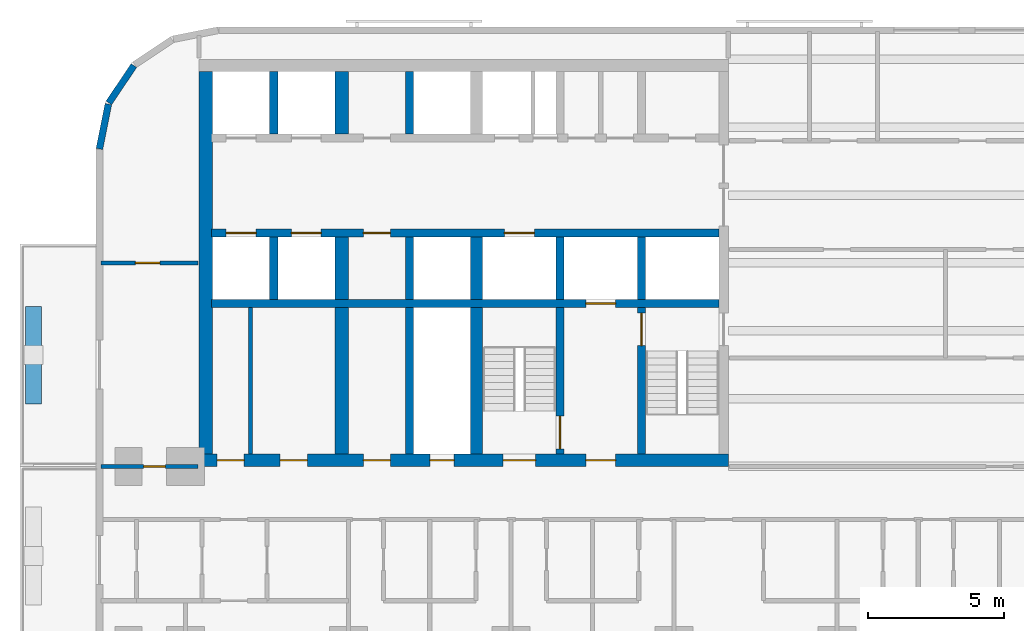
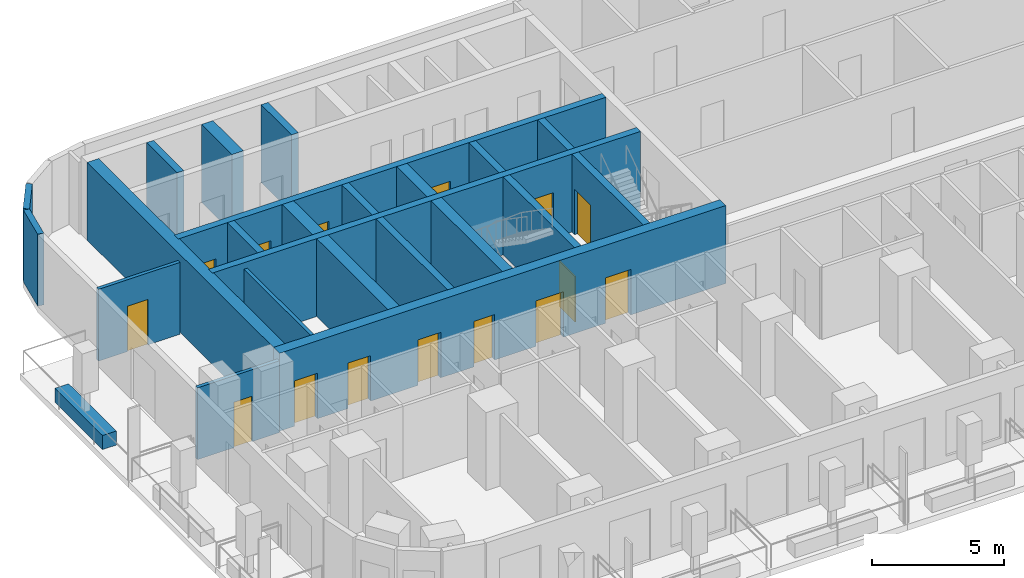
# One storey, part 3 of 15: 24 walls, 15 doors, 15 openings.
"""IFC4 building model written with IfcOpenShell, lengths in metres."""

from ifc_helpers import new_model, si_unit, direction, frame, frame_2d, origin, place, context, subcontext, project, spatial, rectangle, extrude, material, layer, layer_set, type_object, element, fill, save


model = new_model("IFC4")

# Units and contexts
model_context = context("Model", 3, precision=1e-05, world=origin(), true_north=direction((0.0, 1.0)))
body_context = subcontext(model_context, "Body", "Model", "MODEL_VIEW")
ifc_project = project(units=[si_unit("LENGTHUNIT", "METRE"), si_unit("AREAUNIT", "SQUARE_METRE"), si_unit("VOLUMEUNIT", "CUBIC_METRE"), si_unit("PLANEANGLEUNIT", "RADIAN"), si_unit("MASSUNIT", "GRAM", prefix="KILO")], contexts=[model_context])

# Site, building, storey
site_placement = place(None, origin())
site = spatial("IfcSite", under=ifc_project, at=site_placement, CompositionType="ELEMENT")
building_placement = place(site_placement, origin())
building = spatial("IfcBuilding", under=site, at=building_placement, Name="Torana Hotel and Residences", CompositionType="ELEMENT")
storey_placement = place(building_placement, frame((0.0, 0.0, 31.199951171875)))
storey = spatial("IfcBuildingStorey", under=building, at=storey_placement, Name="L06", CompositionType="ELEMENT", Elevation=31.199951171875)

# Wall, openings, doors
ifc_material_1 = material(Name="Concrete C80/95", Category="concrete")
ifc_layer_1 = layer(ifc_material_1, 0.300048828125)
ifc_layer_set_1 = layer_set([ifc_layer_1], Name="CORE WALL 300 C80/95")
wall_type_1 = type_object("IfcWallType", Name="CORE WALL 300 C80/95", PredefinedType="SHEAR", material=ifc_layer_set_1)
wall_1_placement = place(storey_placement, frame((-29.050048828125, -6.39990234375, 0.0), z_axis=(0.0, 0.0, 1.0), x_axis=(1.0, 0.0, 0.0)))
wall_1 = element("IfcWall", 1, at=wall_1_placement, inside=storey, type_object=wall_type_1, Name="Core wall W row-S", PredefinedType="SHEAR", context=body_context, shape_type="SweptSolid", body=[
    extrude(rectangle(XDim=18.699951171875, YDim=0.300048828125, at=frame_2d((9.35009765625, 0.0))), origin(), (0.0, 0.0, 1.0), 3.60009765625),
])
opening_1_placement = place(wall_1_placement, frame((2.949951171875, 0.0, 0.0)))
opening_1 = element("IfcOpeningElement", 2, at=opening_1_placement, cuts=wall_1, Name="Opening LD", PredefinedType="OPENING", context=body_context, shape_type="SweptSolid", body=[
    extrude(rectangle(XDim=1.10009765625, YDim=2.10009765625, at=frame_2d((0.550048828125, 1.050048828125))), frame((0.0, 0.159912109375, 0.0), z_axis=(0.0, -1.0, 0.0), x_axis=(1.0, 0.0, 0.0)), (0.0, 0.0, 1.0), 0.320068359375),
])
opening_2_placement = place(wall_1_placement, frame((0.550048828125, 0.0, 0.0)))
opening_2 = element("IfcOpeningElement", 3, at=opening_2_placement, cuts=wall_1, Name="Opening LD", PredefinedType="OPENING", context=body_context, shape_type="SweptSolid", body=[
    extrude(rectangle(XDim=1.10009765625, YDim=2.10009765625, at=frame_2d((0.550048828125, 1.050048828125))), frame((0.0, 0.159912109375, 0.0), z_axis=(0.0, -1.0, 0.0), x_axis=(1.0, 0.0, 0.0)), (0.0, 0.0, 1.0), 0.320068359375),
])
opening_3_placement = place(wall_1_placement, frame((10.800048828125, 0.0, 0.0)))
opening_3 = element("IfcOpeningElement", 4, at=opening_3_placement, cuts=wall_1, Name="Opening LD", PredefinedType="OPENING", context=body_context, shape_type="SweptSolid", body=[
    extrude(rectangle(XDim=1.10009765625, YDim=2.10009765625, at=frame_2d((0.550048828125, 1.050048828125))), frame((0.0, 0.159912109375, 0.0), z_axis=(0.0, -1.0, 0.0), x_axis=(1.0, 0.0, 0.0)), (0.0, 0.0, 1.0), 0.320068359375),
])
opening_4_placement = place(wall_1_placement, frame((5.60009765625, 0.0, 0.0)))
opening_4 = element("IfcOpeningElement", 5, at=opening_4_placement, cuts=wall_1, Name="Opening L06-16", PredefinedType="OPENING", context=body_context, shape_type="SweptSolid", body=[
    extrude(rectangle(XDim=1.0, YDim=2.10009765625, at=frame_2d((0.5, 1.050048828125))), frame((0.0, 0.159912109375, 0.0), z_axis=(0.0, -1.0, 0.0), x_axis=(1.0, 0.0, 0.0)), (0.0, 0.0, 1.0), 0.320068359375),
])
ifc_material_2 = material(Name="Steel S235", Category="steel")
door_type_1 = type_object("IfcDoorType", Name="CORE ROOM FIRE DOOR D14 1000x2100", OperationType="SINGLE_SWING_LEFT", PredefinedType="DOOR", material=ifc_material_2)
door_1_placement = place(opening_4_placement, frame((0.5, 0.0, 0.0), z_axis=(0.0, 0.0, 1.0), x_axis=(-1.0, 0.0, 0.0)))
door_1 = element("IfcDoor", 6, at=door_1_placement, inside=storey, type_object=door_type_1, Name="Free-M2 door L06", OperationType="SINGLE_SWING_LEFT", OverallHeight=2.10009765625, OverallWidth=1.0, PredefinedType="DOOR", context=body_context, shape_type="SweptSolid", body=[
    extrude(rectangle(XDim=1.0, YDim=2.10009765625, at=frame_2d((0.0, 1.050048828125))), frame((0.0, -0.02490234375, 0.0), z_axis=(0.0, 1.0, 0.0), x_axis=(-1.0, 0.0, 0.0)), (0.0, 0.0, 1.0), 0.050048828125),
])
fill(opening_4, door_1)
ifc_material_3 = material(Name="Stainless steel 316", Category="steel")
door_type_2 = type_object("IfcDoorType", Name="LIFT LANDING DOOR LD 1100x2100", OperationType="DOUBLE_DOOR_SLIDING", PredefinedType="USERDEFINED", material=ifc_material_3)
door_2_placement = place(opening_1_placement, origin())
door_2 = element("IfcDoor", 7, at=door_2_placement, inside=storey, type_object=door_type_2, Name="Lift landing door L3 L06", ObjectType="LIFT LANDING DOOR", OperationType="DOUBLE_DOOR_SLIDING", OverallHeight=2.10009765625, OverallWidth=1.10009765625, PredefinedType="USERDEFINED", context=body_context, shape_type="SweptSolid", body=[
    extrude(rectangle(XDim=1.10009765625, YDim=2.10009765625, at=frame_2d((0.550048828125, 1.050048828125))), frame((0.0, 0.02490234375, 0.0), z_axis=(0.0, -1.0, 0.0), x_axis=(1.0, 0.0, 0.0)), (0.0, 0.0, 1.0), 0.050048828125),
])
fill(opening_1, door_2)
door_3_placement = place(opening_2_placement, origin())
door_3 = element("IfcDoor", 8, at=door_3_placement, inside=storey, type_object=door_type_2, Name="Lift landing door L4 L06", ObjectType="LIFT LANDING DOOR", OperationType="DOUBLE_DOOR_SLIDING", OverallHeight=2.10009765625, OverallWidth=1.10009765625, PredefinedType="USERDEFINED", context=body_context, shape_type="SweptSolid", body=[
    extrude(rectangle(XDim=1.10009765625, YDim=2.10009765625, at=frame_2d((0.550048828125, 1.050048828125))), frame((0.0, 0.02490234375, 0.0), z_axis=(0.0, -1.0, 0.0), x_axis=(1.0, 0.0, 0.0)), (0.0, 0.0, 1.0), 0.050048828125),
])
fill(opening_2, door_3)
door_4_placement = place(opening_3_placement, origin())
door_4 = element("IfcDoor", 9, at=door_4_placement, inside=storey, type_object=door_type_2, Name="Lift landing door SV1 L06", ObjectType="LIFT LANDING DOOR", OperationType="DOUBLE_DOOR_SLIDING", OverallHeight=2.10009765625, OverallWidth=1.10009765625, PredefinedType="USERDEFINED", context=body_context, shape_type="SweptSolid", body=[
    extrude(rectangle(XDim=1.10009765625, YDim=2.10009765625, at=frame_2d((0.550048828125, 1.050048828125))), frame((0.0, 0.02490234375, 0.0), z_axis=(0.0, -1.0, 0.0), x_axis=(1.0, 0.0, 0.0)), (0.0, 0.0, 1.0), 0.050048828125),
])
fill(opening_3, door_4)

# Wall, opening, door
wall_2_placement = place(storey_placement, frame((-29.050048828125, -9.0, 0.0), z_axis=(0.0, 0.0, 1.0), x_axis=(1.0, 0.0, 0.0)))
wall_2 = element("IfcWall", 10, at=wall_2_placement, inside=storey, type_object=wall_type_1, Name="Core wall W band", PredefinedType="SHEAR", context=body_context, shape_type="SweptSolid", body=[
    extrude(rectangle(XDim=18.699951171875, YDim=0.300048828125, at=frame_2d((9.35009765625, 0.0))), origin(), (0.0, 0.0, 1.0), 3.60009765625),
])
opening_5_placement = place(wall_2_placement, frame((13.800048828125, 0.0, 0.0)))
opening_5 = element("IfcOpeningElement", 11, at=opening_5_placement, cuts=wall_2, Name="Opening LD", PredefinedType="OPENING", context=body_context, shape_type="SweptSolid", body=[
    extrude(rectangle(XDim=1.10009765625, YDim=2.10009765625, at=frame_2d((0.550048828125, 1.050048828125))), frame((0.0, 0.159912109375, 0.0), z_axis=(0.0, -1.0, 0.0), x_axis=(1.0, 0.0, 0.0)), (0.0, 0.0, 1.0), 0.320068359375),
])
door_5_placement = place(opening_5_placement, origin())
door_5 = element("IfcDoor", 12, at=door_5_placement, inside=storey, type_object=door_type_2, Name="Lift landing door FF1 L06", ObjectType="LIFT LANDING DOOR", OperationType="DOUBLE_DOOR_SLIDING", OverallHeight=2.10009765625, OverallWidth=1.10009765625, PredefinedType="USERDEFINED", context=body_context, shape_type="SweptSolid", body=[
    extrude(rectangle(XDim=1.10009765625, YDim=2.10009765625, at=frame_2d((0.550048828125, 1.050048828125))), frame((0.0, 0.02490234375, 0.0), z_axis=(0.0, -1.0, 0.0), x_axis=(1.0, 0.0, 0.0)), (0.0, 0.0, 1.0), 0.050048828125),
])
fill(opening_5, door_5)

# Wall
wall_3_placement = place(storey_placement, frame((-13.199951171875, -8.85009765625, 0.0), z_axis=(0.0, 0.0, 1.0), x_axis=(0.0, 1.0, 0.0)))
element("IfcWall", 13, at=wall_3_placement, inside=storey, type_object=wall_type_1, Name="Core wall W x3.05-S", PredefinedType="SHEAR", context=body_context, shape_type="SweptSolid", body=[
    extrude(rectangle(XDim=2.300048828125, YDim=0.300048828125, at=frame_2d((1.14990234375, 0.0))), origin(), (0.0, 0.0, 1.0), 3.60009765625),
])

# Wall, opening, door
wall_4_placement = place(storey_placement, frame((-13.199951171875, -14.550048828125, 0.0), z_axis=(0.0, 0.0, 1.0), x_axis=(0.0, 1.0, 0.0)))
wall_4 = element("IfcWall", 14, at=wall_4_placement, inside=storey, type_object=wall_type_1, Name="Core wall W x3.05-band", PredefinedType="SHEAR", context=body_context, shape_type="SweptSolid", body=[
    extrude(rectangle(XDim=5.400146484375, YDim=0.300048828125, at=frame_2d((2.7001953125, 0.0))), origin(), (0.0, 0.0, 1.0), 3.60009765625),
])
opening_6_placement = place(wall_4_placement, frame((4.0, 0.0, 0.0)))
opening_6 = element("IfcOpeningElement", 15, at=opening_6_placement, cuts=wall_4, Name="Opening L06-17", PredefinedType="OPENING", context=body_context, shape_type="SweptSolid", body=[
    extrude(rectangle(XDim=1.199951171875, YDim=2.10009765625, at=frame_2d((0.60009765625, 1.050048828125))), frame((0.0, 0.159912109375, 0.0), z_axis=(0.0, -1.0, 0.0), x_axis=(1.0, 0.0, 0.0)), (0.0, 0.0, 1.0), 0.320068359375),
])
ifc_material_4 = material(Name="Steel S235", Category="steel")
door_type_3 = type_object("IfcDoorType", Name="STAIR FIRE DOOR D3 1200x2100", OperationType="SINGLE_SWING_LEFT", PredefinedType="DOOR", material=ifc_material_4)
door_6_placement = place(opening_6_placement, frame((0.60009765625, 0.0, 0.0), z_axis=(0.0, 0.0, 1.0), x_axis=(-1.0, 0.0, 0.0)))
door_6 = element("IfcDoor", 16, at=door_6_placement, inside=storey, type_object=door_type_3, Name="Stair-A-lobby door L06", OperationType="SINGLE_SWING_RIGHT", OverallHeight=2.10009765625, OverallWidth=1.199951171875, PredefinedType="DOOR", context=body_context, shape_type="SweptSolid", body=[
    extrude(rectangle(XDim=1.199951171875, YDim=2.10009765625, at=frame_2d((0.0, 1.050048828125))), frame((0.0, -0.02490234375, 0.0), z_axis=(0.0, 1.0, 0.0), x_axis=(-1.0, 0.0, 0.0)), (0.0, 0.0, 1.0), 0.050048828125),
])
fill(opening_6, door_6)

# Wall
wall_5_placement = place(storey_placement, frame((-16.199951171875, -8.85009765625, 0.0), z_axis=(0.0, 0.0, 1.0), x_axis=(0.0, 1.0, 0.0)))
element("IfcWall", 17, at=wall_5_placement, inside=storey, type_object=wall_type_1, Name="Core wall W x6.05-S", PredefinedType="SHEAR", context=body_context, shape_type="SweptSolid", body=[
    extrude(rectangle(XDim=2.300048828125, YDim=0.300048828125, at=frame_2d((1.14990234375, 0.0))), origin(), (0.0, 0.0, 1.0), 3.60009765625),
])

# Wall, opening, door
wall_6_placement = place(storey_placement, frame((-16.199951171875, -14.550048828125, 0.0), z_axis=(0.0, 0.0, 1.0), x_axis=(0.0, 1.0, 0.0)))
wall_6 = element("IfcWall", 18, at=wall_6_placement, inside=storey, type_object=wall_type_1, Name="Core wall W x6.05-band", PredefinedType="SHEAR", context=body_context, shape_type="SweptSolid", body=[
    extrude(rectangle(XDim=5.400146484375, YDim=0.300048828125, at=frame_2d((2.7001953125, 0.0))), origin(), (0.0, 0.0, 1.0), 3.60009765625),
])
opening_7_placement = place(wall_6_placement, frame((0.199951171875, 0.0, 0.0)))
opening_7 = element("IfcOpeningElement", 19, at=opening_7_placement, cuts=wall_6, Name="Opening L06-18", PredefinedType="OPENING", context=body_context, shape_type="SweptSolid", body=[
    extrude(rectangle(XDim=1.199951171875, YDim=2.10009765625, at=frame_2d((0.60009765625, 1.050048828125))), frame((0.0, 0.159912109375, 0.0), z_axis=(0.0, -1.0, 0.0), x_axis=(1.0, 0.0, 0.0)), (0.0, 0.0, 1.0), 0.320068359375),
])
door_7_placement = place(opening_7_placement, origin())
door_7 = element("IfcDoor", 20, at=door_7_placement, inside=storey, type_object=door_type_3, Name="Stair-B-lobby door L06", OperationType="SINGLE_SWING_RIGHT", OverallHeight=2.10009765625, OverallWidth=1.199951171875, PredefinedType="DOOR", context=body_context, shape_type="SweptSolid", body=[
    extrude(rectangle(XDim=1.199951171875, YDim=2.10009765625, at=frame_2d((0.60009765625, 1.050048828125))), frame((0.0, 0.02490234375, 0.0), z_axis=(0.0, -1.0, 0.0), x_axis=(1.0, 0.0, 0.0)), (0.0, 0.0, 1.0), 0.050048828125),
])
fill(opening_7, door_7)

# Walls
for number, where, z_axis, x_axis, name in (
    (21, (-21.75, -2.75, 0.0), (0.0, 0.0, 1.0), (0.0, 1.0, 0.0), "Core wall W mm-N"),
    (22, (-21.75, -8.85009765625, 0.0), (0.0, 0.0, 1.0), (0.0, 1.0, 0.0), "Core wall W mm-S"),
):
    element("IfcWall", number, at=place(storey_placement, frame(where, z_axis=z_axis, x_axis=x_axis)), inside=storey, type_object=wall_type_1, Name=name, PredefinedType="SHEAR", context=body_context, shape_type="SweptSolid", body=[
        extrude(rectangle(XDim=2.300048828125, YDim=0.300048828125, at=frame_2d((1.14990234375, 0.0))), origin(), (0.0, 0.0, 1.0), 3.60009765625),
    ])
wall_7_placement = place(storey_placement, frame((-21.75, -14.550048828125, 0.0), z_axis=(0.0, 0.0, 1.0), x_axis=(0.0, 1.0, 0.0)))
element("IfcWall", 23, at=wall_7_placement, inside=storey, type_object=wall_type_1, Name="Core wall W mm-band", PredefinedType="SHEAR", context=body_context, shape_type="SweptSolid", body=[
    extrude(rectangle(XDim=5.400146484375, YDim=0.300048828125, at=frame_2d((2.7001953125, 0.0))), origin(), (0.0, 0.0, 1.0), 3.60009765625),
])
for number, where, z_axis, x_axis, name in (
    (24, (-26.75, -2.75, 0.0), (0.0, 0.0, 1.0), (0.0, 1.0, 0.0), "Core wall W ll-N"),
    (25, (-26.75, -8.85009765625, 0.0), (0.0, 0.0, 1.0), (0.0, 1.0, 0.0), "Core wall W ll-S"),
):
    element("IfcWall", number, at=place(storey_placement, frame(where, z_axis=z_axis, x_axis=x_axis)), inside=storey, type_object=wall_type_1, Name=name, PredefinedType="SHEAR", context=body_context, shape_type="SweptSolid", body=[
        extrude(rectangle(XDim=2.300048828125, YDim=0.300048828125, at=frame_2d((1.14990234375, 0.0))), origin(), (0.0, 0.0, 1.0), 3.60009765625),
    ])

# Wall, openings, doors
ifc_material_5 = material(Name="Concrete C80/95", Category="concrete")
ifc_layer_2 = layer(ifc_material_5, 0.449951171875)
ifc_layer_set_2 = layer_set([ifc_layer_2], Name="CORE WALL 450 C80/95")
wall_type_2 = type_object("IfcWallType", Name="CORE WALL 450 C80/95", PredefinedType="SHEAR", material=ifc_layer_set_2)
wall_8_placement = place(storey_placement, frame((-29.5, -14.77490234375, 0.0), z_axis=(0.0, 0.0, 1.0), x_axis=(1.0, 0.0, 0.0)))
wall_8 = element("IfcWall", 26, at=wall_8_placement, inside=storey, type_object=wall_type_2, Name="Core wall W front", PredefinedType="SHEAR", context=body_context, shape_type="SweptSolid", body=[
    extrude(rectangle(XDim=19.5, YDim=0.449951171875, at=frame_2d((9.75, 0.0))), origin(), (0.0, 0.0, 1.0), 3.60009765625),
])
opening_8_placement = place(wall_8_placement, frame((11.199951171875, 0.0, 0.0)))
opening_8 = element("IfcOpeningElement", 27, at=opening_8_placement, cuts=wall_8, Name="Opening L06-04", PredefinedType="OPENING", context=body_context, shape_type="SweptSolid", body=[
    extrude(rectangle(XDim=1.199951171875, YDim=2.10009765625, at=frame_2d((0.60009765625, 1.050048828125))), frame((0.0, 0.23486328125, 0.0), z_axis=(0.0, -1.0, 0.0), x_axis=(1.0, 0.0, 0.0)), (0.0, 0.0, 1.0), 0.469970703125),
])
opening_9_placement = place(wall_8_placement, frame((14.25, 0.0, 0.0)))
opening_9 = element("IfcOpeningElement", 28, at=opening_9_placement, cuts=wall_8, Name="Opening L06-05", PredefinedType="OPENING", context=body_context, shape_type="SweptSolid", body=[
    extrude(rectangle(XDim=1.10009765625, YDim=2.10009765625, at=frame_2d((0.550048828125, 1.050048828125))), frame((0.0, 0.23486328125, 0.0), z_axis=(0.0, -1.0, 0.0), x_axis=(1.0, 0.0, 0.0)), (0.0, 0.0, 1.0), 0.469970703125),
])
opening_10_placement = place(wall_8_placement, frame((8.5, 0.0, 0.0)))
opening_10 = element("IfcOpeningElement", 29, at=opening_10_placement, cuts=wall_8, Name="Opening L06-06", PredefinedType="OPENING", context=body_context, shape_type="SweptSolid", body=[
    extrude(rectangle(XDim=0.89990234375, YDim=2.10009765625, at=frame_2d((0.449951171875, 1.050048828125))), frame((0.0, 0.23486328125, 0.0), z_axis=(0.0, -1.0, 0.0), x_axis=(1.0, 0.0, 0.0)), (0.0, 0.0, 1.0), 0.469970703125),
])
opening_11_placement = place(wall_8_placement, frame((6.050048828125, 0.0, 0.0)))
opening_11 = element("IfcOpeningElement", 30, at=opening_11_placement, cuts=wall_8, Name="Opening L06-07", PredefinedType="OPENING", context=body_context, shape_type="SweptSolid", body=[
    extrude(rectangle(XDim=1.0, YDim=2.10009765625, at=frame_2d((0.5, 1.050048828125))), frame((0.0, 0.23486328125, 0.0), z_axis=(0.0, -1.0, 0.0), x_axis=(1.0, 0.0, 0.0)), (0.0, 0.0, 1.0), 0.469970703125),
])
opening_12_placement = place(wall_8_placement, frame((2.987548828125, 0.0, 0.0)))
opening_12 = element("IfcOpeningElement", 31, at=opening_12_placement, cuts=wall_8, Name="Opening L06-08", PredefinedType="OPENING", context=body_context, shape_type="SweptSolid", body=[
    extrude(rectangle(XDim=1.0, YDim=2.10009765625, at=frame_2d((0.5, 1.050048828125))), frame((0.0, 0.23486328125, 0.0), z_axis=(0.0, -1.0, 0.0), x_axis=(1.0, 0.0, 0.0)), (0.0, 0.0, 1.0), 0.469970703125),
])
opening_13_placement = place(wall_8_placement, frame((0.66259765625, 0.0, 0.0)))
opening_13 = element("IfcOpeningElement", 32, at=opening_13_placement, cuts=wall_8, Name="Opening L06-09", PredefinedType="OPENING", context=body_context, shape_type="SweptSolid", body=[
    extrude(rectangle(XDim=1.0, YDim=2.10009765625, at=frame_2d((0.5, 1.050048828125))), frame((0.0, 0.23486328125, 0.0), z_axis=(0.0, -1.0, 0.0), x_axis=(1.0, 0.0, 0.0)), (0.0, 0.0, 1.0), 0.469970703125),
])
door_8_placement = place(opening_11_placement, origin())
door_8 = element("IfcDoor", 33, at=door_8_placement, inside=storey, type_object=door_type_1, Name="M-Room door L06", OperationType="SINGLE_SWING_RIGHT", OverallHeight=2.10009765625, OverallWidth=1.0, PredefinedType="DOOR", context=body_context, shape_type="SweptSolid", body=[
    extrude(rectangle(XDim=1.0, YDim=2.10009765625, at=frame_2d((0.5, 1.050048828125))), frame((0.0, 0.02490234375, 0.0), z_axis=(0.0, -1.0, 0.0), x_axis=(1.0, 0.0, 0.0)), (0.0, 0.0, 1.0), 0.050048828125),
])
fill(opening_11, door_8)
door_9_placement = place(opening_12_placement, origin())
door_9 = element("IfcDoor", 34, at=door_9_placement, inside=storey, type_object=door_type_1, Name="L-A door L06", OperationType="SINGLE_SWING_RIGHT", OverallHeight=2.10009765625, OverallWidth=1.0, PredefinedType="DOOR", context=body_context, shape_type="SweptSolid", body=[
    extrude(rectangle(XDim=1.0, YDim=2.10009765625, at=frame_2d((0.5, 1.050048828125))), frame((0.0, 0.02490234375, 0.0), z_axis=(0.0, -1.0, 0.0), x_axis=(1.0, 0.0, 0.0)), (0.0, 0.0, 1.0), 0.050048828125),
])
fill(opening_12, door_9)
door_10_placement = place(opening_13_placement, origin())
door_10 = element("IfcDoor", 35, at=door_10_placement, inside=storey, type_object=door_type_1, Name="L-B door L06", OperationType="SINGLE_SWING_RIGHT", OverallHeight=2.10009765625, OverallWidth=1.0, PredefinedType="DOOR", context=body_context, shape_type="SweptSolid", body=[
    extrude(rectangle(XDim=1.0, YDim=2.10009765625, at=frame_2d((0.5, 1.050048828125))), frame((0.0, 0.02490234375, 0.0), z_axis=(0.0, -1.0, 0.0), x_axis=(1.0, 0.0, 0.0)), (0.0, 0.0, 1.0), 0.050048828125),
])
fill(opening_13, door_10)
ifc_material_6 = material(Name="Steel S235", Category="steel")
door_type_4 = type_object("IfcDoorType", Name="FIRE-FIGHTING LOBBY DOOR D8 1100x2100", OperationType="SINGLE_SWING_LEFT", PredefinedType="DOOR", material=ifc_material_6)
door_11_placement = place(opening_9_placement, origin())
door_11 = element("IfcDoor", 36, at=door_11_placement, inside=storey, type_object=door_type_4, Name="FF-lobby door L06", OperationType="SINGLE_SWING_RIGHT", OverallHeight=2.10009765625, OverallWidth=1.10009765625, PredefinedType="DOOR", context=body_context, shape_type="SweptSolid", body=[
    extrude(rectangle(XDim=1.10009765625, YDim=2.10009765625, at=frame_2d((0.550048828125, 1.050048828125))), frame((0.0, 0.02490234375, 0.0), z_axis=(0.0, -1.0, 0.0), x_axis=(1.0, 0.0, 0.0)), (0.0, 0.0, 1.0), 0.050048828125),
])
fill(opening_9, door_11)
ifc_material_7 = material(Name="Steel S235", Category="steel")
door_type_5 = type_object("IfcDoorType", Name="RISER ACCESS DOOR D5 900x2100", OperationType="SINGLE_SWING_LEFT", PredefinedType="DOOR", material=ifc_material_7)
door_12_placement = place(opening_10_placement, origin())
door_12 = element("IfcDoor", 37, at=door_12_placement, inside=storey, type_object=door_type_5, Name="M-Riser door L06", OperationType="SINGLE_SWING_RIGHT", OverallHeight=2.10009765625, OverallWidth=0.89990234375, PredefinedType="DOOR", context=body_context, shape_type="SweptSolid", body=[
    extrude(rectangle(XDim=0.89990234375, YDim=2.10009765625, at=frame_2d((0.449951171875, 1.050048828125))), frame((0.0, 0.02490234375, 0.0), z_axis=(0.0, -1.0, 0.0), x_axis=(1.0, 0.0, 0.0)), (0.0, 0.0, 1.0), 0.050048828125),
])
fill(opening_10, door_12)
door_13_placement = place(opening_8_placement, origin())
door_13 = element("IfcDoor", 38, at=door_13_placement, inside=storey, type_object=door_type_3, Name="Stair-B door L06", OperationType="SINGLE_SWING_RIGHT", OverallHeight=2.10009765625, OverallWidth=1.199951171875, PredefinedType="DOOR", context=body_context, shape_type="SweptSolid", body=[
    extrude(rectangle(XDim=1.199951171875, YDim=2.10009765625, at=frame_2d((0.60009765625, 1.050048828125))), frame((0.0, 0.02490234375, 0.0), z_axis=(0.0, -1.0, 0.0), x_axis=(1.0, 0.0, 0.0)), (0.0, 0.0, 1.0), 0.050048828125),
])
fill(opening_8, door_13)

# Walls
wall_9_placement = place(storey_placement, frame((-19.27490234375, -8.85009765625, 0.0), z_axis=(0.0, 0.0, 1.0), x_axis=(0.0, 1.0, 0.0)))
element("IfcWall", 39, at=wall_9_placement, inside=storey, type_object=wall_type_2, Name="Core wall W hm-S", PredefinedType="SHEAR", context=body_context, shape_type="SweptSolid", body=[
    extrude(rectangle(XDim=2.300048828125, YDim=0.449951171875, at=frame_2d((1.14990234375, 0.0))), origin(), (0.0, 0.0, 1.0), 3.60009765625),
])
wall_10_placement = place(storey_placement, frame((-19.27490234375, -14.550048828125, 0.0), z_axis=(0.0, 0.0, 1.0), x_axis=(0.0, 1.0, 0.0)))
element("IfcWall", 40, at=wall_10_placement, inside=storey, type_object=wall_type_2, Name="Core wall W hm-band", PredefinedType="SHEAR", context=body_context, shape_type="SweptSolid", body=[
    extrude(rectangle(XDim=5.400146484375, YDim=0.449951171875, at=frame_2d((2.7001953125, 0.0))), origin(), (0.0, 0.0, 1.0), 3.60009765625),
])
ifc_material_8 = material(Name="Concrete C80/95", Category="concrete")
ifc_layer_3 = layer(ifc_material_8, 0.5)
ifc_layer_set_3 = layer_set([ifc_layer_3], Name="CORE WALL 500 C80/95")
wall_type_3 = type_object("IfcWallType", Name="CORE WALL 500 C80/95", PredefinedType="SHEAR", material=ifc_layer_set_3)
wall_11_placement = place(storey_placement, frame((-29.25, -14.550048828125, 0.0), z_axis=(0.0, 0.0, 1.0), x_axis=(0.0, 1.0, 0.0)))
element("IfcWall", 41, at=wall_11_placement, inside=storey, type_object=wall_type_3, Name="Core wall W outer", PredefinedType="SHEAR", context=body_context, shape_type="SweptSolid", body=[
    extrude(rectangle(XDim=14.10009765625, YDim=0.5, at=frame_2d((7.050048828125, 0.0))), origin(), (0.0, 0.0, 1.0), 3.60009765625),
])
for number, where, z_axis, x_axis, name in (
    (42, (-24.25, -2.75, 0.0), (0.0, 0.0, 1.0), (0.0, 1.0, 0.0), "Core wall W ml-N"),
    (43, (-24.25, -8.85009765625, 0.0), (0.0, 0.0, 1.0), (0.0, 1.0, 0.0), "Core wall W ml-S"),
):
    element("IfcWall", number, at=place(storey_placement, frame(where, z_axis=z_axis, x_axis=x_axis)), inside=storey, type_object=wall_type_3, Name=name, PredefinedType="SHEAR", context=body_context, shape_type="SweptSolid", body=[
        extrude(rectangle(XDim=2.300048828125, YDim=0.5, at=frame_2d((1.14990234375, 0.0))), origin(), (0.0, 0.0, 1.0), 3.60009765625),
    ])
wall_12_placement = place(storey_placement, frame((-24.25, -14.550048828125, 0.0), z_axis=(0.0, 0.0, 1.0), x_axis=(0.0, 1.0, 0.0)))
element("IfcWall", 44, at=wall_12_placement, inside=storey, type_object=wall_type_3, Name="Core wall W ml-band", PredefinedType="SHEAR", context=body_context, shape_type="SweptSolid", body=[
    extrude(rectangle(XDim=5.400146484375, YDim=0.5, at=frame_2d((2.7001953125, 0.0))), origin(), (0.0, 0.0, 1.0), 3.60009765625),
])
ifc_material_9 = material(Name="Black aluminium composite panel", Category="aluminium")
ifc_layer_4 = layer(ifc_material_9, 0.00390625, Name="Cladding", Category="cladding")
ifc_material_10 = material(Name="Ventilated air cavity")
ifc_layer_5 = layer(ifc_material_10, 0.0400390625, Name="Ventilated cavity", Category="cavity")
ifc_material_11 = material(Name="Mineral wool insulation")
ifc_layer_6 = layer(ifc_material_11, 0.090087890625, Name="Insulation", Category="insulation")
ifc_material_12 = material(Name="Steel S280GD", Category="steel")
ifc_layer_7 = layer(ifc_material_12, 0.092041015625, Name="Steel stud frame", Category="structure")
ifc_material_13 = material(Name="Fire rated plasterboard")
ifc_layer_8 = layer(ifc_material_13, 0.011962890625, Name="Inner board", Category="finish")
ifc_layer_9 = layer(ifc_material_13, 0.011962890625, Name="Second board", Category="finish")
ifc_layer_set_4 = layer_set([ifc_layer_4, ifc_layer_5, ifc_layer_6, ifc_layer_7, ifc_layer_8, ifc_layer_9], Name="EW1 EXTERNAL WALL BLACK METAL CLAD 250")
wall_type_4 = type_object("IfcWallType", Name="EW1 EXTERNAL WALL BLACK METAL CLAD 250", PredefinedType="SOLIDWALL", material=ifc_layer_set_4)
wall_13_placement = place(storey_placement, frame((-31.90576171875, -0.228759765625, 0.0), z_axis=(0.0, 0.0, 1.0), x_axis=(-0.55555029066, -0.831482937015, 0.0)))
element("IfcWall", 45, at=wall_13_placement, inside=storey, type_object=wall_type_4, Name="External wall L06 e0.7", PredefinedType="SOLIDWALL", context=body_context, shape_type="SweptSolid", body=[
    extrude(rectangle(XDim=1.65625, YDim=0.25, at=frame_2d((0.828125, 0.0))), origin(), (0.0, 0.0, 1.0), 3.320068359375),
])
wall_14_placement = place(storey_placement, frame((-32.844482421875, -1.651123046875, 0.0), z_axis=(0.0, 0.0, 1.0), x_axis=(-0.19513878023, -0.980775640221, 0.0)))
element("IfcWall", 46, at=wall_14_placement, inside=storey, type_object=wall_type_4, Name="External wall L06 e0.8", PredefinedType="SOLIDWALL", context=body_context, shape_type="SweptSolid", body=[
    extrude(rectangle(XDim=1.681396484375, YDim=0.25, at=frame_2d((0.8408203125, 0.0))), origin(), (0.0, 0.0, 1.0), 3.320068359375),
])
ifc_material_14 = material(Name="Gypsum plaster")
ifc_layer_10 = layer(ifc_material_14, 0.014892578125, Name="Plaster", Category="finish")
ifc_material_15 = material(Name="Concrete blockwork", Category="masonry")
ifc_layer_11 = layer(ifc_material_15, 0.1201171875, Name="Blockwork", Category="structure")
ifc_layer_12 = layer(ifc_material_14, 0.014892578125, Name="Plaster", Category="finish")
ifc_layer_set_5 = layer_set([ifc_layer_10, ifc_layer_11, ifc_layer_12], Name="FIRE PARTITION 150 BLOCKWORK")
wall_type_5 = type_object("IfcWallType", Name="FIRE PARTITION 150 BLOCKWORK", PredefinedType="PARTITIONING", material=ifc_layer_set_5)
wall_15_placement = place(storey_placement, frame((-27.60009765625, -14.550048828125, 0.0), z_axis=(0.0, 0.0, 1.0), x_axis=(0.0, 1.0, 0.0)))
element("IfcWall", 47, at=wall_15_placement, inside=storey, type_object=wall_type_5, Name="Core partition L06", PredefinedType="PARTITIONING", context=body_context, shape_type="SweptSolid", body=[
    extrude(rectangle(XDim=5.400146484375, YDim=0.14990234375, at=frame_2d((2.7001953125, 0.0))), origin(), (0.0, 0.0, 1.0), 3.300048828125),
])

# Wall, opening, door
wall_16_placement = place(storey_placement, frame((-33.1201171875, -15.0, 0.0), z_axis=(0.0, 0.0, 1.0), x_axis=(1.0, 0.0, 0.0)))
wall_16 = element("IfcWall", 48, at=wall_16_placement, inside=storey, type_object=wall_type_5, Name="Partition L06", PredefinedType="PARTITIONING", context=body_context, shape_type="SweptSolid", body=[
    extrude(rectangle(XDim=3.570068359375, YDim=0.14990234375, at=frame_2d((1.78515625, 0.0))), origin(), (0.0, 0.0, 1.0), 3.320068359375),
])
opening_14_placement = place(wall_16_placement, frame((1.580078125, 0.0, 0.0)))
opening_14 = element("IfcOpeningElement", 49, at=opening_14_placement, cuts=wall_16, Name="Opening L06-55", PredefinedType="OPENING", context=body_context, shape_type="SweptSolid", body=[
    extrude(rectangle(XDim=0.800048828125, YDim=2.10009765625, at=frame_2d((0.39990234375, 1.050048828125))), frame((0.0, 0.0849609375, 0.0), z_axis=(0.0, -1.0, 0.0), x_axis=(1.0, 0.0, 0.0)), (0.0, 0.0, 1.0), 0.169921875),
])
ifc_material_16 = material(Name="Steel S235", Category="steel")
door_type_6 = type_object("IfcDoorType", Name="STORE FIRE DOOR D16 800x2100", OperationType="SINGLE_SWING_LEFT", PredefinedType="DOOR", material=ifc_material_16)
door_14_placement = place(opening_14_placement, origin())
door_14 = element("IfcDoor", 50, at=door_14_placement, inside=storey, type_object=door_type_6, Name="Door L06", OperationType="SINGLE_SWING_RIGHT", OverallHeight=2.10009765625, OverallWidth=0.800048828125, PredefinedType="DOOR", context=body_context, shape_type="SweptSolid", body=[
    extrude(rectangle(XDim=0.800048828125, YDim=2.10009765625, at=frame_2d((0.39990234375, 1.050048828125))), frame((0.0, 0.02490234375, 0.0), z_axis=(0.0, -1.0, 0.0), x_axis=(1.0, 0.0, 0.0)), (0.0, 0.0, 1.0), 0.050048828125),
])
fill(opening_14, door_14)

ifc_material_17 = material(Name="Gypsum plasterboard")
ifc_layer_13 = layer(ifc_material_17, 0.012451171875, Name="Plasterboard", Category="finish")
ifc_layer_14 = layer(ifc_material_17, 0.012451171875, Name="Plasterboard", Category="finish")
ifc_layer_15 = layer(ifc_material_12, 0.10009765625, Name="Steel studs with mineral wool", Category="insulation")
ifc_layer_16 = layer(ifc_material_17, 0.012451171875, Name="Plasterboard", Category="finish")
ifc_layer_17 = layer(ifc_material_17, 0.012451171875, Name="Plasterboard", Category="finish")
ifc_layer_set_6 = layer_set([ifc_layer_13, ifc_layer_14, ifc_layer_15, ifc_layer_16, ifc_layer_17], Name="PARTITION 150 PLASTERBOARD")
wall_type_6 = type_object("IfcWallType", Name="PARTITION 150 PLASTERBOARD", PredefinedType="PARTITIONING", material=ifc_layer_set_6)
wall_17_placement = place(storey_placement, frame((-33.1201171875, -7.5, 0.0), z_axis=(0.0, 0.0, 1.0), x_axis=(1.0, 0.0, 0.0)))
wall_17 = element("IfcWall", 51, at=wall_17_placement, inside=storey, type_object=wall_type_6, Name="Partition L06", PredefinedType="PARTITIONING", context=body_context, shape_type="SweptSolid", body=[
    extrude(rectangle(XDim=3.570068359375, YDim=0.14990234375, at=frame_2d((1.78515625, 0.0))), origin(), (0.0, 0.0, 1.0), 3.320068359375),
])
opening_15_placement = place(wall_17_placement, frame((1.27001953125, 0.0, 0.0)))
opening_15 = element("IfcOpeningElement", 52, at=opening_15_placement, cuts=wall_17, Name="Opening L06-90", PredefinedType="OPENING", context=body_context, shape_type="SweptSolid", body=[
    extrude(rectangle(XDim=0.89990234375, YDim=2.10009765625, at=frame_2d((0.449951171875, 1.050048828125))), frame((0.0, 0.0849609375, 0.0), z_axis=(0.0, -1.0, 0.0), x_axis=(1.0, 0.0, 0.0)), (0.0, 0.0, 1.0), 0.169921875),
])
ifc_material_18 = material(Name="Timber door, oiled ash", Category="wood")
door_type_7 = type_object("IfcDoorType", Name="ROOM DOOR D7 900x2100", OperationType="SINGLE_SWING_LEFT", PredefinedType="DOOR", material=ifc_material_18)
door_15_placement = place(opening_15_placement, origin())
door_15 = element("IfcDoor", 53, at=door_15_placement, inside=storey, type_object=door_type_7, Name="Door L06", OperationType="SINGLE_SWING_RIGHT", OverallHeight=2.10009765625, OverallWidth=0.89990234375, PredefinedType="DOOR", context=body_context, shape_type="SweptSolid", body=[
    extrude(rectangle(XDim=0.89990234375, YDim=2.10009765625, at=frame_2d((0.449951171875, 1.050048828125))), frame((0.0, 0.02490234375, 0.0), z_axis=(0.0, -1.0, 0.0), x_axis=(1.0, 0.0, 0.0)), (0.0, 0.0, 1.0), 0.050048828125),
])
fill(opening_15, door_15)

# Wall
ifc_material_19 = material(Name="Concrete C40/50 precast", Category="concrete")
ifc_layer_18 = layer(ifc_material_19, 0.10009765625, Name="Planter shell", Category="structure")
ifc_material_20 = material(Name="Root resistant membrane")
ifc_layer_19 = layer(ifc_material_20, 0.00390625, Name="Waterproofing membrane", Category="membrane")
ifc_material_21 = material(Name="Drainage board with filter fleece")
ifc_layer_20 = layer(ifc_material_21, 0.02001953125, Name="Drainage board", Category="drainage")
ifc_material_22 = material(Name="Growing medium")
ifc_layer_21 = layer(ifc_material_22, 0.47607421875, Name="Planting substrate", Category="soil")
ifc_layer_set_7 = layer_set([ifc_layer_18, ifc_layer_19, ifc_layer_20, ifc_layer_21], Name="PL1 BALCONY PLANTER 600")
wall_type_7 = type_object("IfcWallType", Name="PL1 BALCONY PLANTER 600", PredefinedType="USERDEFINED", material=ifc_layer_set_7)
wall_18_placement = place(storey_placement, frame((-35.60009765625, -12.699951171875, 0.0), z_axis=(0.0, 0.0, 1.0), x_axis=(0.0, 1.0, 0.0)))
element("IfcWall", 54, at=wall_18_placement, inside=storey, type_object=wall_type_7, Name="Planter 13", ObjectType="PLANTER", PredefinedType="USERDEFINED", context=body_context, shape_type="SweptSolid", body=[
    extrude(rectangle(XDim=3.599853515625, YDim=0.60009765625, at=frame_2d((1.7998046875, 0.0))), origin(), (0.0, 0.0, 1.0), 0.650146484375),
])

save(model, "model.ifc")
